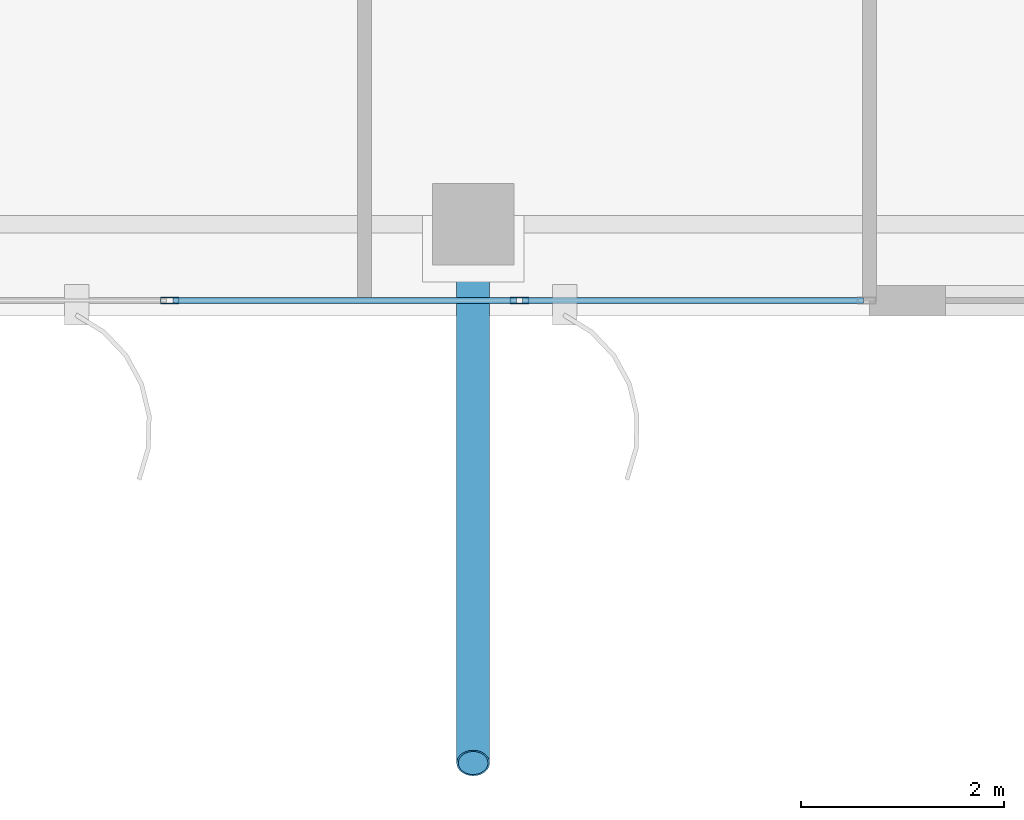
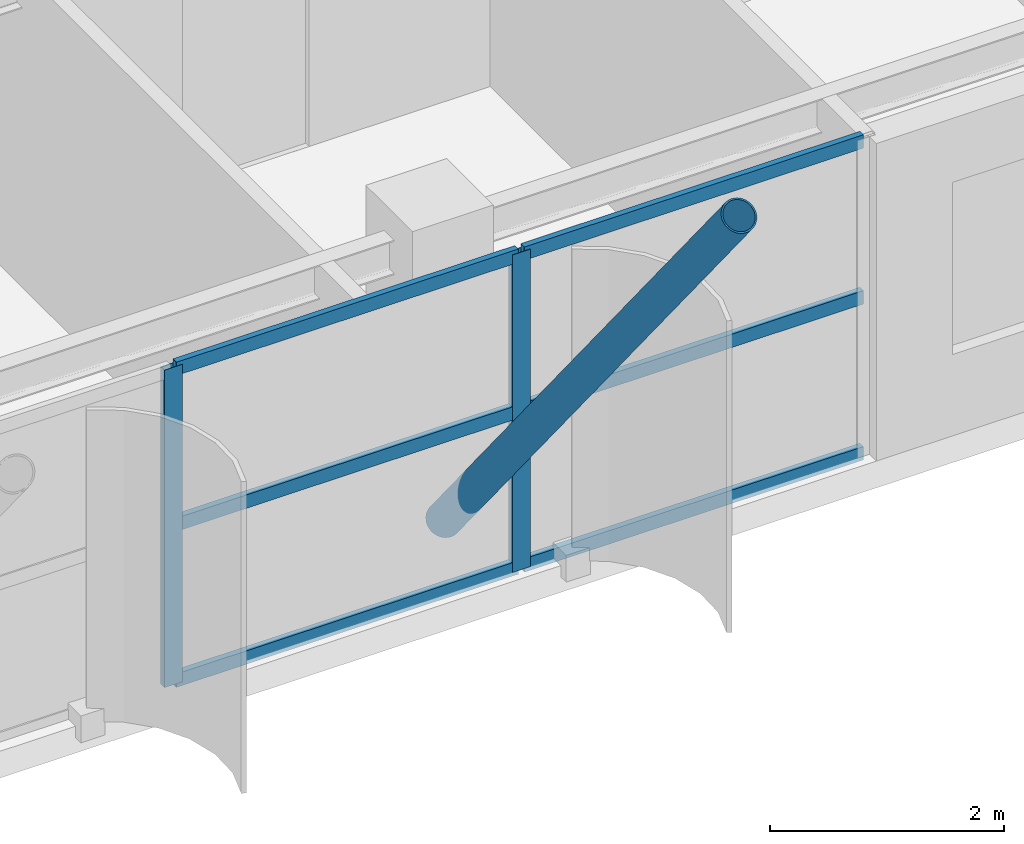
# One storey, part 4 of 22: 9 members, 1 element without a shape of its own.
"""IFC4 building model written with IfcOpenShell, lengths in metres."""

import ifcopenshell
import ifcopenshell.guid

model = None  # the IFC model being written
_history = None  # IfcOwnerHistory: only IFC2X3 demands one
_inside = {}  # id of a spatial element -> (the spatial element, [elements in it])
_under = {}  # id of a project, library or spatial element -> (it, [spatial elements below it])
_declared = {}  # id of a project -> (the project, [libraries it declares])
_typed = {}  # id of a type object -> (the type object, [elements of that type])
_made_of = {}  # id of a material, layer set ... -> (it, [elements and type objects made of it])


def new_model(schema):
    """Start an empty IFC model of exactly this schema.

    Asked for "IFC4X3", IfcOpenShell would pick the latest addendum, in which some entities
    have other attributes; the version numbers below select the first issue.
    IFC2X3 requires an IfcOwnerHistory on every rooted entity: one is made here for all.
    """
    global model, _history
    if schema == "IFC4X3":
        model = ifcopenshell.file(schema_version=(4, 3, 0, 0))
    else:
        model = ifcopenshell.file(schema=schema)
    _inside.clear()
    _under.clear()
    _declared.clear()
    _typed.clear()
    _made_of.clear()
    _history = None
    if model.schema == "IFC2X3":
        org = make("IfcOrganization", Name="unknown")
        user = make(
            "IfcPersonAndOrganization",
            ThePerson=make("IfcPerson", FamilyName="unknown"),
            TheOrganization=org,
        )
        app = make(
            "IfcApplication",
            ApplicationDeveloper=org,
            Version="unknown",
            ApplicationFullName="unknown",
            ApplicationIdentifier="unknown",
        )
        _history = make(
            "IfcOwnerHistory",
            OwningUser=user,
            OwningApplication=app,
            ChangeAction="ADDED",
            CreationDate=0,
        )
    return model


def make(cls, **values):
    """One entity of the class cls with the attributes given. An attribute that is None is left unset."""
    return model.create_entity(
        cls, **{name: value for name, value in values.items() if value is not None}
    )


def rooted(cls, **values):
    """An entity with a GlobalId (a new one), such as an element, a storey or a relation."""
    return make(cls, GlobalId=ifcopenshell.guid.new(), OwnerHistory=_history, **values)


def si_unit(unit_type, name, prefix=None):
    """IfcSIUnit, for example si_unit("LENGTHUNIT", "METRE", prefix="MILLI")."""
    return make("IfcSIUnit", UnitType=unit_type, Prefix=prefix, Name=name)


def assignment(units):
    """IfcUnitAssignment: the units of a project."""
    return None if units is None else make("IfcUnitAssignment", Units=units)


def point(xyz):
    """IfcCartesianPoint."""
    return None if xyz is None else make("IfcCartesianPoint", Coordinates=xyz)


def direction(xyz):
    """IfcDirection."""
    return None if xyz is None else make("IfcDirection", DirectionRatios=xyz)


def frame(location, z_axis=None, x_axis=None):
    """IfcAxis2Placement3D, a coordinate frame: its origin and axes. An axis left out is left unset."""
    return make(
        "IfcAxis2Placement3D",
        Location=point(location),
        Axis=direction(z_axis),
        RefDirection=direction(x_axis),
    )


def frame_2d(location, x_axis=None):
    """IfcAxis2Placement2D, a coordinate frame in the plane: its origin and x axis."""
    return make(
        "IfcAxis2Placement2D", Location=point(location), RefDirection=direction(x_axis)
    )


def origin():
    """The frame at (0, 0, 0) with its axes left unset."""
    return frame((0.0, 0.0, 0.0))


def origin_2d():
    """The frame at (0, 0) in the plane with its x axis left unset."""
    return frame_2d((0.0, 0.0))


def place(relative_to, where):
    """IfcLocalPlacement: puts the frame where relative to a parent placement (None: the world)."""
    return make(
        "IfcLocalPlacement", PlacementRelTo=relative_to, RelativePlacement=where
    )


def context(
    kind, dimensions, precision=None, world=None, true_north=None, identifier=None
):
    """IfcGeometricRepresentationContext, for example the 3D "Model" context."""
    return make(
        "IfcGeometricRepresentationContext",
        ContextIdentifier=identifier,
        ContextType=kind,
        CoordinateSpaceDimension=dimensions,
        Precision=precision,
        WorldCoordinateSystem=world,
        TrueNorth=true_north,
    )


def subcontext(parent, identifier, kind, view, scale=None):
    """IfcGeometricRepresentationSubContext, for example "Body" below "Model"."""
    return make(
        "IfcGeometricRepresentationSubContext",
        ContextIdentifier=identifier,
        ContextType=kind,
        ParentContext=parent,
        TargetScale=scale,
        TargetView=view,
    )


def project(units=None, contexts=None):
    """IfcProject with its units and contexts."""
    return rooted(
        "IfcProject",
        Name="project",
        RepresentationContexts=contexts,
        UnitsInContext=assignment(units),
    )


def spatial(cls, under=None, at=None, **own):
    """A site, building, storey or space (cls), placed at a placement, below another one or the project."""
    s = rooted(cls, ObjectPlacement=at, **own)
    if under is not None:
        _under.setdefault(under.id(), (under, []))[1].append(s)
    return s


def profile(cls, at=None, kind="AREA", **sizes):
    """A parametric profile (cls). Its sizes go by their IFC names, for example OverallWidth=200.0."""
    return make(cls, ProfileType=kind, Position=at, **sizes)


def hollow_rectangle(**sizes):
    """IfcRectangleHollowProfileDef."""
    return profile("IfcRectangleHollowProfileDef", **sizes)


def hollow_circle(**sizes):
    """IfcCircleHollowProfileDef."""
    return profile("IfcCircleHollowProfileDef", **sizes)


def extrude(swept, where, along, depth):
    """IfcExtrudedAreaSolid: the profile swept, set in the frame where, extruded along a direction by depth."""
    return make(
        "IfcExtrudedAreaSolid",
        SweptArea=swept,
        Position=where,
        ExtrudedDirection=direction(along),
        Depth=depth,
    )


def shape(context_of_items, identifier, shape_type, items):
    """IfcShapeRepresentation: the items that make up one representation, for example the "Body"."""
    return make(
        "IfcShapeRepresentation",
        ContextOfItems=context_of_items,
        RepresentationIdentifier=identifier,
        RepresentationType=shape_type,
        Items=items,
    )


def source(mapping_origin, context_of_items, identifier, shape_type, items):
    """IfcRepresentationMap: a shape defined once, which mapped items show again and again."""
    return make(
        "IfcRepresentationMap",
        MappingOrigin=mapping_origin,
        MappedRepresentation=shape(context_of_items, identifier, shape_type, items),
    )


def transform(
    local_origin,
    x_axis=None,
    y_axis=None,
    z_axis=None,
    scale=None,
    scale2=None,
    scale3=None,
    uniform=True,
):
    """IfcCartesianTransformationOperator3D, or its non-uniform kind. x_axis, y_axis, z_axis: its Axis1, 2, 3."""
    if uniform:
        return make(
            "IfcCartesianTransformationOperator3D",
            Axis1=direction(x_axis),
            Axis2=direction(y_axis),
            LocalOrigin=point(local_origin),
            Scale=scale,
            Axis3=direction(z_axis),
        )
    return make(
        "IfcCartesianTransformationOperator3DnonUniform",
        Axis1=direction(x_axis),
        Axis2=direction(y_axis),
        LocalOrigin=point(local_origin),
        Scale=scale,
        Axis3=direction(z_axis),
        Scale2=scale2,
        Scale3=scale3,
    )


def mapped(mapping_source, mapping_target):
    """IfcMappedItem: shows the shape of a source again, moved by a transform."""
    return make(
        "IfcMappedItem", MappingSource=mapping_source, MappingTarget=mapping_target
    )


def material(Name=None, Category=None):
    """IfcMaterial."""
    return make("IfcMaterial", Name=Name, Category=Category)


def layer(
    of_material, thickness, ventilated=None, Name=None, Category=None, Priority=None
):
    """IfcMaterialLayer: one layer of a wall or slab, of a material (None: an air gap)."""
    return make(
        "IfcMaterialLayer",
        Material=of_material,
        LayerThickness=thickness,
        IsVentilated=ventilated,
        Name=Name,
        Category=Category,
        Priority=Priority,
    )


def layer_set(layers, Name=None):
    """IfcMaterialLayerSet."""
    return make("IfcMaterialLayerSet", MaterialLayers=layers, LayerSetName=Name)


def material_profile(
    of_material, cross_section, Name=None, Category=None, Priority=None
):
    """IfcMaterialProfile: a cross section and its material."""
    return make(
        "IfcMaterialProfile",
        Name=Name,
        Material=of_material,
        Profile=cross_section,
        Priority=Priority,
        Category=Category,
    )


def profile_set(profiles, Name=None, composite=None):
    """IfcMaterialProfileSet."""
    return make(
        "IfcMaterialProfileSet",
        Name=Name,
        MaterialProfiles=profiles,
        CompositeProfile=composite,
    )


def made_of(thing, what):
    """Note that an element or type object is made of a material, layer set ...; save() writes the relation."""
    if what is not None:
        _made_of.setdefault(what.id(), (what, []))[1].append(thing)
    return thing


def type_object(cls, material=None, **own):
    """A type object (cls), such as IfcWallType, which elements share."""
    return made_of(rooted(cls, **own), material)


def element(
    cls,
    number,
    at=None,
    inside=None,
    cuts=None,
    type_object=None,
    material=None,
    context=None,
    identifier="Body",
    shape_type=None,
    held_by="IfcProductDefinitionShape",
    body=None,
    shapes=None,
    **own,
):
    """One element of the class cls, such as IfcWall. Its Tag is "e" and its number.

    at: its placement. inside: the storey or other place that contains it. cuts: it is an
    opening in that element (IfcRelVoidsElement). A single representation is given by context,
    identifier, shape_type and body (its items); several are given by shapes. held_by: the class
    of the entity that holds the representations. save() writes the other relations.
    """
    e = rooted(cls, Tag="e%d" % number, ObjectPlacement=at, **own)
    if body is not None:
        shapes = [shape(context, identifier, shape_type, body)]
    if shapes is not None:
        e.Representation = make(held_by, Representations=shapes)
    if inside is not None:
        _inside.setdefault(inside.id(), (inside, []))[1].append(e)
    if cuts is not None:
        rooted(
            "IfcRelVoidsElement", RelatingBuildingElement=cuts, RelatedOpeningElement=e
        )
    if type_object is not None:
        _typed.setdefault(type_object.id(), (type_object, []))[1].append(e)
    return made_of(e, material)


def aggregate(whole, parts):
    """IfcRelAggregates: a whole, such as a stair, and the parts it consists of."""
    return rooted("IfcRelAggregates", RelatingObject=whole, RelatedObjects=parts)


def save(model, path):
    """Write the relations noted so far, then the file.

    IfcRelAggregates (storeys below a building ...), IfcRelContainedInSpatialStructure (elements
    in a storey), IfcRelDefinesByType, IfcRelAssociatesMaterial and IfcRelDeclares: one each for
    every whole, place, type object, material and project.
    """
    for whole, parts in _under.values():
        aggregate(whole, parts)
    for where, things in _inside.values():
        rooted(
            "IfcRelContainedInSpatialStructure",
            RelatedElements=things,
            RelatingStructure=where,
        )
    for kind, things in _typed.values():
        rooted("IfcRelDefinesByType", RelatedObjects=things, RelatingType=kind)
    for what, things in _made_of.values():
        rooted("IfcRelAssociatesMaterial", RelatedObjects=things, RelatingMaterial=what)
    for by, libraries in _declared.values():
        rooted("IfcRelDeclares", RelatingContext=by, RelatedDefinitions=libraries)
    model.write(path)


model = new_model("IFC4")

# Units and contexts
model_context = context("Model", 3, precision=1e-05, world=origin(), true_north=direction((0.0, 1.0)))
body_context = subcontext(model_context, "Body", "Model", "MODEL_VIEW")
ifc_project = project(units=[si_unit("LENGTHUNIT", "METRE"), si_unit("AREAUNIT", "SQUARE_METRE"), si_unit("VOLUMEUNIT", "CUBIC_METRE"), si_unit("PLANEANGLEUNIT", "RADIAN"), si_unit("MASSUNIT", "GRAM", prefix="KILO")], contexts=[model_context])

# Site, building, storey
site_placement = place(None, origin())
site = spatial("IfcSite", under=ifc_project, at=site_placement, CompositionType="ELEMENT")
building_placement = place(site_placement, origin())
building = spatial("IfcBuilding", under=site, at=building_placement, Name="Khoralis Quay Care Tower", CompositionType="ELEMENT")
storey_placement = place(building_placement, frame((0.0, 0.0, 278.10009765625)))
storey = spatial("IfcBuildingStorey", under=building, at=storey_placement, Name="L73", CompositionType="ELEMENT", Elevation=278.10009765625)

# Member
ifc_material_1 = material(Name="Steel S355", Category="steel")
ifc_material_profile_1 = material_profile(ifc_material_1, hollow_circle(Radius=0.161865234375, WallThickness=0.01611328125, at=origin_2d()), Name="Steel S355")
ifc_profile_set_1 = profile_set([ifc_material_profile_1], Name="Steel S355")
member_type_1 = type_object("IfcMemberType", Name="ST-CHS323X16", PredefinedType="STRUT", material=ifc_profile_set_1)
shared_shape_1 = source(origin(), body_context, "Body", "SweptSolid", [
    extrude(hollow_circle(Radius=0.161865234375, WallThickness=0.01611328125, at=origin_2d()), origin(), (0.0, 0.0, 1.0), 8.04150390625),
])
member_1_placement = place(storey_placement, frame((24.0, 3.659912109375, 0.349853515625), z_axis=(0.0, -0.629220062981, 0.777227194804), x_axis=(1.0, 0.0, 0.0)))
element("IfcMember", 1, at=member_1_placement, inside=storey, type_object=member_type_1, Name="L73 Sky Pool Raking Strut 3A", PredefinedType="STRUT", context=body_context, shape_type="MappedRepresentation", body=[
    mapped(shared_shape_1, transform((0.0, 0.0, 0.0), scale=1.0)),
])

# Curtain wall, members
ifc_material_2 = material(Name="Pale anodised aluminium", Category="aluminium")
ifc_layer = layer(ifc_material_2, 0.159912109375)
ifc_layer_set = layer_set([ifc_layer], Name="Pale anodised aluminium")
curtain_wall_type = type_object("IfcCurtainWallType", Name="CW-SYS-Z3", PredefinedType="NOTDEFINED", material=ifc_layer_set)
curtain_wall_placement = place(storey_placement, origin())
curtain_wall = element("IfcCurtainWall", 2, at=curtain_wall_placement, inside=storey, type_object=curtain_wall_type, Name="L73 Unitised Curtain Wall CW-L73-P1-E0", PredefinedType="NOTDEFINED")
ifc_material_profile_2 = material_profile(ifc_material_2, hollow_rectangle(XDim=0.06494140625, YDim=0.179931640625, WallThickness=0.00390625, at=origin_2d()), Name="Pale anodised aluminium")
ifc_profile_set_2 = profile_set([ifc_material_profile_2], Name="Pale anodised aluminium")
member_type_2 = type_object("IfcMemberType", Name="CW-MUL-180", PredefinedType="MULLION", material=ifc_profile_set_2)
shared_shape_2 = source(origin(), body_context, "Body", "SweptSolid", [
    extrude(hollow_rectangle(XDim=0.06494140625, YDim=0.179931640625, WallThickness=0.00390625, at=origin_2d()), origin(), (0.0, 0.0, 1.0), 3.31982421875),
])
member_2_placement = place(storey_placement, frame((21.014892578125, 3.14990234375, 0.0), z_axis=(0.0, 0.0, 1.0), x_axis=(0.0, 1.0, 0.0)))
member_2 = element("IfcMember", 3, at=member_2_placement, type_object=member_type_2, Name="CW3 mullion 3", PredefinedType="MULLION", context=body_context, shape_type="MappedRepresentation", body=[
    mapped(shared_shape_2, transform((0.0, 0.0, 0.0), scale=1.0)),
])
member_3_placement = place(storey_placement, frame((24.45751953125, 3.14990234375, 0.0), z_axis=(0.0, 0.0, 1.0), x_axis=(0.0, 1.0, 0.0)))
member_3 = element("IfcMember", 4, at=member_3_placement, type_object=member_type_2, Name="CW3 mullion 4", PredefinedType="MULLION", context=body_context, shape_type="MappedRepresentation", body=[
    mapped(shared_shape_2, transform((0.0, 0.0, 0.0), scale=1.0)),
])
ifc_material_profile_3 = material_profile(ifc_material_2, hollow_rectangle(XDim=0.06005859375, YDim=0.139892578125, WallThickness=0.00390625, at=origin_2d()), Name="Pale anodised aluminium")
ifc_profile_set_3 = profile_set([ifc_material_profile_3], Name="Pale anodised aluminium")
member_type_3 = type_object("IfcMemberType", Name="CW-TRN-140", PredefinedType="USERDEFINED", material=ifc_profile_set_3)
shared_shape_3 = source(origin(), body_context, "Body", "SweptSolid", [
    extrude(hollow_rectangle(XDim=0.06005859375, YDim=0.139892578125, WallThickness=0.00390625, at=origin_2d()), origin(), (0.0, 0.0, 1.0), 3.3525390625),
])
member_4_placement = place(storey_placement, frame((24.487548828125, 3.14990234375, 0.02978515625), z_axis=(1.0, 0.0, 0.0), x_axis=(0.0, 1.0, 0.0)))
member_4 = element("IfcMember", 5, at=member_4_placement, type_object=member_type_3, Name="CW3 transom 4.1", ObjectType="TRANSOM", PredefinedType="USERDEFINED", context=body_context, shape_type="MappedRepresentation", body=[
    mapped(shared_shape_3, transform((0.0, 0.0, 0.0), scale=1.0)),
])
member_5_placement = place(storey_placement, frame((24.487548828125, 3.14990234375, 1.659912109375), z_axis=(1.0, 0.0, 0.0), x_axis=(0.0, 1.0, 0.0)))
member_5 = element("IfcMember", 6, at=member_5_placement, type_object=member_type_3, Name="CW3 transom 4.2", ObjectType="TRANSOM", PredefinedType="USERDEFINED", context=body_context, shape_type="MappedRepresentation", body=[
    mapped(shared_shape_3, transform((0.0, 0.0, 0.0), scale=1.0)),
])
member_6_placement = place(storey_placement, frame((24.487548828125, 3.14990234375, 3.289794921875), z_axis=(1.0, 0.0, 0.0), x_axis=(0.0, 1.0, 0.0)))
member_6 = element("IfcMember", 7, at=member_6_placement, type_object=member_type_3, Name="CW3 transom 4.3", ObjectType="TRANSOM", PredefinedType="USERDEFINED", context=body_context, shape_type="MappedRepresentation", body=[
    mapped(shared_shape_3, transform((0.0, 0.0, 0.0), scale=1.0)),
])
shared_shape_4 = source(origin(), body_context, "Body", "SweptSolid", [
    extrude(hollow_rectangle(XDim=0.06005859375, YDim=0.139892578125, WallThickness=0.00390625, at=origin_2d()), origin(), (0.0, 0.0, 1.0), 3.382568359375),
])
member_7_placement = place(storey_placement, frame((21.044921875, 3.14990234375, 0.02978515625), z_axis=(1.0, 0.0, 0.0), x_axis=(0.0, 1.0, 0.0)))
member_7 = element("IfcMember", 8, at=member_7_placement, type_object=member_type_3, Name="CW3 transom 3.1", ObjectType="TRANSOM", PredefinedType="USERDEFINED", context=body_context, shape_type="MappedRepresentation", body=[
    mapped(shared_shape_4, transform((0.0, 0.0, 0.0), scale=1.0)),
])
member_8_placement = place(storey_placement, frame((21.044921875, 3.14990234375, 1.659912109375), z_axis=(1.0, 0.0, 0.0), x_axis=(0.0, 1.0, 0.0)))
member_8 = element("IfcMember", 9, at=member_8_placement, type_object=member_type_3, Name="CW3 transom 3.2", ObjectType="TRANSOM", PredefinedType="USERDEFINED", context=body_context, shape_type="MappedRepresentation", body=[
    mapped(shared_shape_4, transform((0.0, 0.0, 0.0), scale=1.0)),
])
member_9_placement = place(storey_placement, frame((21.044921875, 3.14990234375, 3.289794921875), z_axis=(1.0, 0.0, 0.0), x_axis=(0.0, 1.0, 0.0)))
member_9 = element("IfcMember", 10, at=member_9_placement, type_object=member_type_3, Name="CW3 transom 3.3", ObjectType="TRANSOM", PredefinedType="USERDEFINED", context=body_context, shape_type="MappedRepresentation", body=[
    mapped(shared_shape_4, transform((0.0, 0.0, 0.0), scale=1.0)),
])
aggregate(curtain_wall, [member_2, member_3, member_7, member_8, member_9, member_4, member_5, member_6])

save(model, "model.ifc")
